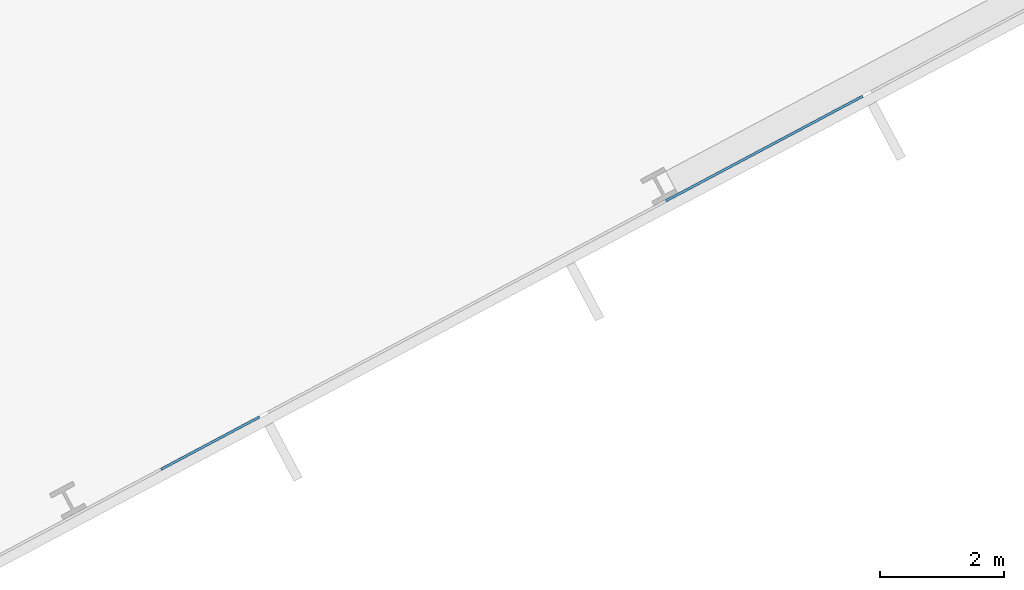
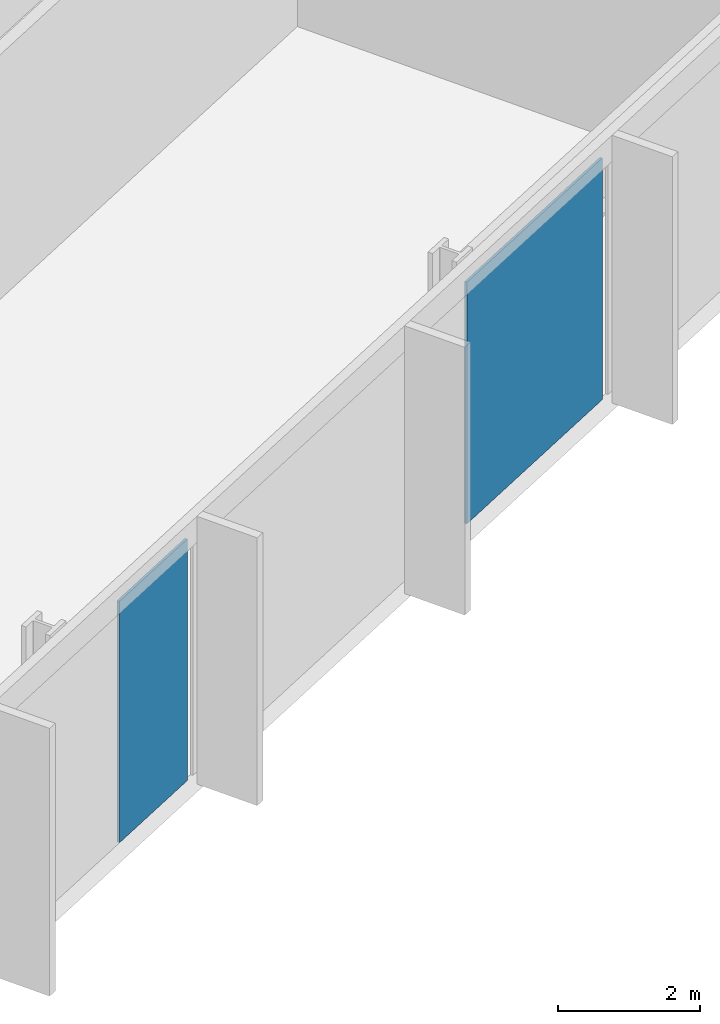
# One storey, part 11 of 30: 2 plates, 1 element without a shape of its own.
"""IFC4 building model written with IfcOpenShell, lengths in metres."""

import ifcopenshell
import ifcopenshell.guid

model = None  # the IFC model being written
_history = None  # IfcOwnerHistory: only IFC2X3 demands one
_inside = {}  # id of a spatial element -> (the spatial element, [elements in it])
_under = {}  # id of a project, library or spatial element -> (it, [spatial elements below it])
_declared = {}  # id of a project -> (the project, [libraries it declares])
_typed = {}  # id of a type object -> (the type object, [elements of that type])
_made_of = {}  # id of a material, layer set ... -> (it, [elements and type objects made of it])


def new_model(schema):
    """Start an empty IFC model of exactly this schema.

    Asked for "IFC4X3", IfcOpenShell would pick the latest addendum, in which some entities
    have other attributes; the version numbers below select the first issue.
    IFC2X3 requires an IfcOwnerHistory on every rooted entity: one is made here for all.
    """
    global model, _history
    if schema == "IFC4X3":
        model = ifcopenshell.file(schema_version=(4, 3, 0, 0))
    else:
        model = ifcopenshell.file(schema=schema)
    _inside.clear()
    _under.clear()
    _declared.clear()
    _typed.clear()
    _made_of.clear()
    _history = None
    if model.schema == "IFC2X3":
        org = make("IfcOrganization", Name="unknown")
        user = make(
            "IfcPersonAndOrganization",
            ThePerson=make("IfcPerson", FamilyName="unknown"),
            TheOrganization=org,
        )
        app = make(
            "IfcApplication",
            ApplicationDeveloper=org,
            Version="unknown",
            ApplicationFullName="unknown",
            ApplicationIdentifier="unknown",
        )
        _history = make(
            "IfcOwnerHistory",
            OwningUser=user,
            OwningApplication=app,
            ChangeAction="ADDED",
            CreationDate=0,
        )
    return model


def make(cls, **values):
    """One entity of the class cls with the attributes given. An attribute that is None is left unset."""
    return model.create_entity(
        cls, **{name: value for name, value in values.items() if value is not None}
    )


def rooted(cls, **values):
    """An entity with a GlobalId (a new one), such as an element, a storey or a relation."""
    return make(cls, GlobalId=ifcopenshell.guid.new(), OwnerHistory=_history, **values)


def si_unit(unit_type, name, prefix=None):
    """IfcSIUnit, for example si_unit("LENGTHUNIT", "METRE", prefix="MILLI")."""
    return make("IfcSIUnit", UnitType=unit_type, Prefix=prefix, Name=name)


def assignment(units):
    """IfcUnitAssignment: the units of a project."""
    return None if units is None else make("IfcUnitAssignment", Units=units)


def point(xyz):
    """IfcCartesianPoint."""
    return None if xyz is None else make("IfcCartesianPoint", Coordinates=xyz)


def direction(xyz):
    """IfcDirection."""
    return None if xyz is None else make("IfcDirection", DirectionRatios=xyz)


def frame(location, z_axis=None, x_axis=None):
    """IfcAxis2Placement3D, a coordinate frame: its origin and axes. An axis left out is left unset."""
    return make(
        "IfcAxis2Placement3D",
        Location=point(location),
        Axis=direction(z_axis),
        RefDirection=direction(x_axis),
    )


def frame_2d(location, x_axis=None):
    """IfcAxis2Placement2D, a coordinate frame in the plane: its origin and x axis."""
    return make(
        "IfcAxis2Placement2D", Location=point(location), RefDirection=direction(x_axis)
    )


def origin():
    """The frame at (0, 0, 0) with its axes left unset."""
    return frame((0.0, 0.0, 0.0))


def origin_2d():
    """The frame at (0, 0) in the plane with its x axis left unset."""
    return frame_2d((0.0, 0.0))


def place(relative_to, where):
    """IfcLocalPlacement: puts the frame where relative to a parent placement (None: the world)."""
    return make(
        "IfcLocalPlacement", PlacementRelTo=relative_to, RelativePlacement=where
    )


def context(
    kind, dimensions, precision=None, world=None, true_north=None, identifier=None
):
    """IfcGeometricRepresentationContext, for example the 3D "Model" context."""
    return make(
        "IfcGeometricRepresentationContext",
        ContextIdentifier=identifier,
        ContextType=kind,
        CoordinateSpaceDimension=dimensions,
        Precision=precision,
        WorldCoordinateSystem=world,
        TrueNorth=true_north,
    )


def subcontext(parent, identifier, kind, view, scale=None):
    """IfcGeometricRepresentationSubContext, for example "Body" below "Model"."""
    return make(
        "IfcGeometricRepresentationSubContext",
        ContextIdentifier=identifier,
        ContextType=kind,
        ParentContext=parent,
        TargetScale=scale,
        TargetView=view,
    )


def project(units=None, contexts=None):
    """IfcProject with its units and contexts."""
    return rooted(
        "IfcProject",
        Name="project",
        RepresentationContexts=contexts,
        UnitsInContext=assignment(units),
    )


def spatial(cls, under=None, at=None, **own):
    """A site, building, storey or space (cls), placed at a placement, below another one or the project."""
    s = rooted(cls, ObjectPlacement=at, **own)
    if under is not None:
        _under.setdefault(under.id(), (under, []))[1].append(s)
    return s


def profile(cls, at=None, kind="AREA", **sizes):
    """A parametric profile (cls). Its sizes go by their IFC names, for example OverallWidth=200.0."""
    return make(cls, ProfileType=kind, Position=at, **sizes)


def rectangle(**sizes):
    """IfcRectangleProfileDef."""
    return profile("IfcRectangleProfileDef", **sizes)


def extrude(swept, where, along, depth):
    """IfcExtrudedAreaSolid: the profile swept, set in the frame where, extruded along a direction by depth."""
    return make(
        "IfcExtrudedAreaSolid",
        SweptArea=swept,
        Position=where,
        ExtrudedDirection=direction(along),
        Depth=depth,
    )


def shape(context_of_items, identifier, shape_type, items):
    """IfcShapeRepresentation: the items that make up one representation, for example the "Body"."""
    return make(
        "IfcShapeRepresentation",
        ContextOfItems=context_of_items,
        RepresentationIdentifier=identifier,
        RepresentationType=shape_type,
        Items=items,
    )


def material(Name=None, Category=None):
    """IfcMaterial."""
    return make("IfcMaterial", Name=Name, Category=Category)


def layer(
    of_material, thickness, ventilated=None, Name=None, Category=None, Priority=None
):
    """IfcMaterialLayer: one layer of a wall or slab, of a material (None: an air gap)."""
    return make(
        "IfcMaterialLayer",
        Material=of_material,
        LayerThickness=thickness,
        IsVentilated=ventilated,
        Name=Name,
        Category=Category,
        Priority=Priority,
    )


def layer_set(layers, Name=None):
    """IfcMaterialLayerSet."""
    return make("IfcMaterialLayerSet", MaterialLayers=layers, LayerSetName=Name)


def made_of(thing, what):
    """Note that an element or type object is made of a material, layer set ...; save() writes the relation."""
    if what is not None:
        _made_of.setdefault(what.id(), (what, []))[1].append(thing)
    return thing


def type_object(cls, material=None, **own):
    """A type object (cls), such as IfcWallType, which elements share."""
    return made_of(rooted(cls, **own), material)


def element(
    cls,
    number,
    at=None,
    inside=None,
    cuts=None,
    type_object=None,
    material=None,
    context=None,
    identifier="Body",
    shape_type=None,
    held_by="IfcProductDefinitionShape",
    body=None,
    shapes=None,
    **own,
):
    """One element of the class cls, such as IfcWall. Its Tag is "e" and its number.

    at: its placement. inside: the storey or other place that contains it. cuts: it is an
    opening in that element (IfcRelVoidsElement). A single representation is given by context,
    identifier, shape_type and body (its items); several are given by shapes. held_by: the class
    of the entity that holds the representations. save() writes the other relations.
    """
    e = rooted(cls, Tag="e%d" % number, ObjectPlacement=at, **own)
    if body is not None:
        shapes = [shape(context, identifier, shape_type, body)]
    if shapes is not None:
        e.Representation = make(held_by, Representations=shapes)
    if inside is not None:
        _inside.setdefault(inside.id(), (inside, []))[1].append(e)
    if cuts is not None:
        rooted(
            "IfcRelVoidsElement", RelatingBuildingElement=cuts, RelatedOpeningElement=e
        )
    if type_object is not None:
        _typed.setdefault(type_object.id(), (type_object, []))[1].append(e)
    return made_of(e, material)


def aggregate(whole, parts):
    """IfcRelAggregates: a whole, such as a stair, and the parts it consists of."""
    return rooted("IfcRelAggregates", RelatingObject=whole, RelatedObjects=parts)


def save(model, path):
    """Write the relations noted so far, then the file.

    IfcRelAggregates (storeys below a building ...), IfcRelContainedInSpatialStructure (elements
    in a storey), IfcRelDefinesByType, IfcRelAssociatesMaterial and IfcRelDeclares: one each for
    every whole, place, type object, material and project.
    """
    for whole, parts in _under.values():
        aggregate(whole, parts)
    for where, things in _inside.values():
        rooted(
            "IfcRelContainedInSpatialStructure",
            RelatedElements=things,
            RelatingStructure=where,
        )
    for kind, things in _typed.values():
        rooted("IfcRelDefinesByType", RelatedObjects=things, RelatingType=kind)
    for what, things in _made_of.values():
        rooted("IfcRelAssociatesMaterial", RelatedObjects=things, RelatingMaterial=what)
    for by, libraries in _declared.values():
        rooted("IfcRelDeclares", RelatingContext=by, RelatedDefinitions=libraries)
    model.write(path)


model = new_model("IFC4")

# Units and contexts
model_context = context("Model", 3, precision=1e-05, world=origin(), true_north=direction((0.0, 1.0)))
body_context = subcontext(model_context, "Body", "Model", "MODEL_VIEW")
ifc_project = project(units=[si_unit("LENGTHUNIT", "METRE"), si_unit("AREAUNIT", "SQUARE_METRE"), si_unit("VOLUMEUNIT", "CUBIC_METRE"), si_unit("PLANEANGLEUNIT", "RADIAN"), si_unit("MASSUNIT", "GRAM", prefix="KILO")], contexts=[model_context])

# Site, building, storey
site_placement = place(None, origin())
site = spatial("IfcSite", under=ifc_project, at=site_placement, CompositionType="ELEMENT")
building_placement = place(site_placement, origin())
building = spatial("IfcBuilding", under=site, at=building_placement, Name="Cormorant Relay Tower", CompositionType="ELEMENT")
storey_placement = place(building_placement, frame((0.0, 0.0, 80.0)))
storey = spatial("IfcBuildingStorey", under=building, at=storey_placement, Name="L15", CompositionType="ELEMENT", Elevation=80.0)

# Curtain wall, plates
ifc_material_1 = material(Name="Aluminium 6063-T6 anodised bronze", Category="aluminium")
ifc_layer_1 = layer(ifc_material_1, 0.199951171875)
ifc_layer_set_1 = layer_set([ifc_layer_1], Name="CW1 unitised bronze curtain wall with vertical fins")
curtain_wall_type = type_object("IfcCurtainWallType", Name="CW1 unitised bronze curtain wall with vertical fins", PredefinedType="NOTDEFINED", material=ifc_layer_set_1)
curtain_wall_placement = place(storey_placement, origin())
curtain_wall = element("IfcCurtainWall", 1, at=curtain_wall_placement, inside=storey, type_object=curtain_wall_type, Name="CW1 curtain wall 2", PredefinedType="NOTDEFINED")
ifc_material_2 = material(Name="Tinted laminated glass", Category="glass")
ifc_layer_2 = layer(ifc_material_2, 0.0400390625)
ifc_layer_set_2 = layer_set([ifc_layer_2], Name="CW1 tinted vision panel 1800 module")
plate_type_1 = type_object("IfcPlateType", Name="CW1 tinted vision panel 1800 module", PredefinedType="CURTAIN_PANEL", material=ifc_layer_set_2)
plate_1_placement = place(storey_placement, frame((45.597412109375, 0.43798828125, 0.0), z_axis=(0.0, 0.0, 1.0), x_axis=(0.882947592859, 0.469471562786, 0.0)))
plate_1 = element("IfcPlate", 2, at=plate_1_placement, type_object=plate_type_1, Name="CW1 panel V08", PredefinedType="CURTAIN_PANEL", context=body_context, shape_type="SweptSolid", body=[
    extrude(rectangle(XDim=1.800048828125, YDim=0.0400390625, at=origin_2d()), origin(), (0.0, 0.0, 1.0), 4.14990234375),
])
ifc_material_3 = material(Name="Tinted laminated glass", Category="glass")
ifc_layer_3 = layer(ifc_material_3, 0.0400390625)
ifc_layer_set_3 = layer_set([ifc_layer_3], Name="CW1 tinted vision panel 3600 module")
plate_type_2 = type_object("IfcPlateType", Name="CW1 tinted vision panel 3600 module", PredefinedType="CURTAIN_PANEL", material=ifc_layer_set_3)
plate_2_placement = place(storey_placement, frame((54.5361328125, 5.190673828125, 0.0), z_axis=(0.0, 0.0, 1.0), x_axis=(0.882947592859, 0.469471562786, 0.0)))
plate_2 = element("IfcPlate", 3, at=plate_2_placement, type_object=plate_type_2, Name="CW1 panel V10", PredefinedType="CURTAIN_PANEL", context=body_context, shape_type="SweptSolid", body=[
    extrude(rectangle(XDim=3.60009765625, YDim=0.0400390625, at=origin_2d()), origin(), (0.0, 0.0, 1.0), 4.14990234375),
])
aggregate(curtain_wall, [plate_1, plate_2])

save(model, "model.ifc")
